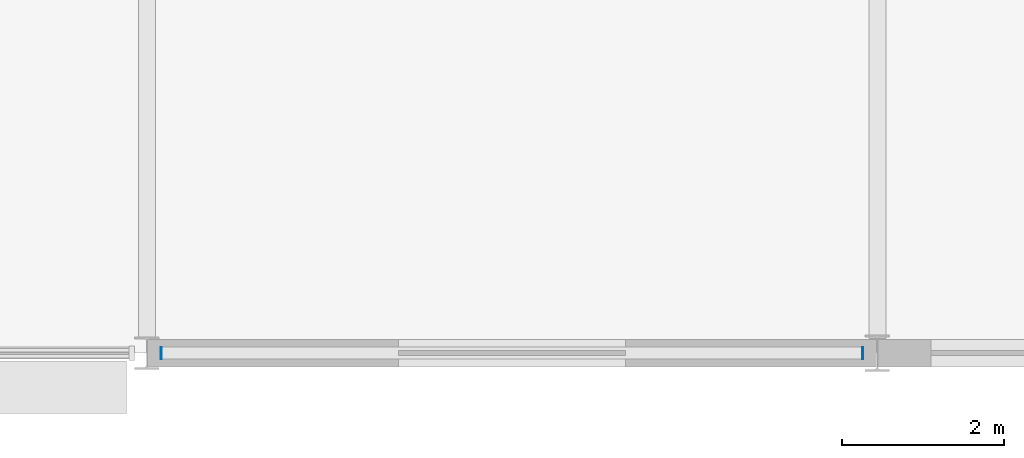
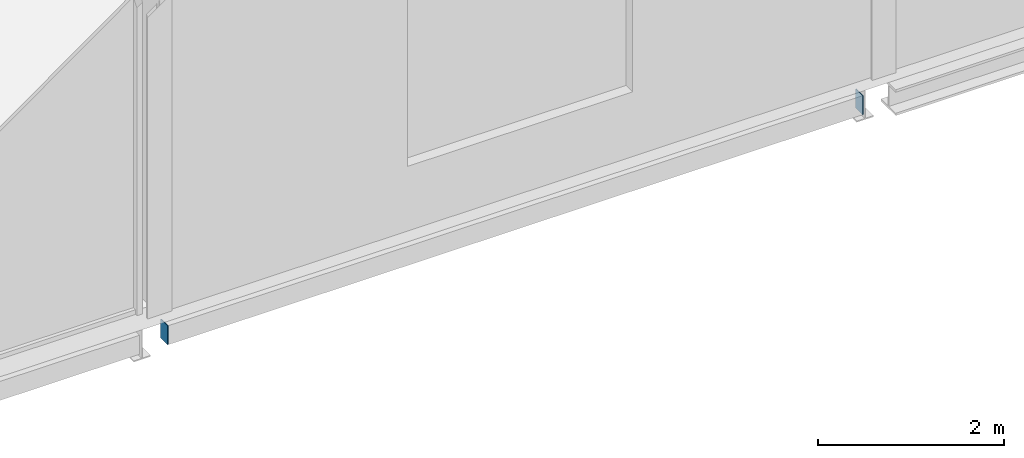
# One storey, part 55 of 73: 2 discrete accessories.
"""IFC4 building model written with IfcOpenShell, lengths in metres."""

from ifc_helpers import new_model, si_unit, direction, frame, origin, place, context, subcontext, project, spatial, polyline, outline, extrude, material, layer, layer_set, type_object, element, save


model = new_model("IFC4")

# Units and contexts
model_context = context("Model", 3, precision=1e-05, world=origin(), true_north=direction((0.0, 1.0)))
body_context = subcontext(model_context, "Body", "Model", "MODEL_VIEW")
ifc_project = project(units=[si_unit("LENGTHUNIT", "METRE"), si_unit("AREAUNIT", "SQUARE_METRE"), si_unit("VOLUMEUNIT", "CUBIC_METRE"), si_unit("PLANEANGLEUNIT", "RADIAN"), si_unit("MASSUNIT", "GRAM", prefix="KILO")], contexts=[model_context])

# Site, building, storey
site_placement = place(None, origin())
site = spatial("IfcSite", under=ifc_project, at=site_placement, CompositionType="ELEMENT")
building_placement = place(site_placement, origin())
building = spatial("IfcBuilding", under=site, at=building_placement, Name="Kisiwana Market Hall", CompositionType="ELEMENT")
storey_placement = place(building_placement, frame((0.0, 0.0, 33.300048828125)))
storey = spatial("IfcBuildingStorey", under=building, at=storey_placement, Name="L07", CompositionType="ELEMENT", Elevation=33.300048828125)

# Discrete accessories
ifc_material = material(Name="Steel S355", Category="steel")
ifc_layer = layer(ifc_material, 0.011962890625)
ifc_layer_set = layer_set([ifc_layer], Name="ACC-ENDCAP-STL")
discrete_accessory_type = type_object("IfcDiscreteAccessoryType", Name="ACC-ENDCAP-STL", PredefinedType="USERDEFINED", material=ifc_layer_set)
discrete_accessory_1_placement = place(storey_placement, frame((0.0, 0.0, -0.530029296875)))
element("IfcDiscreteAccessory", 1, at=discrete_accessory_1_placement, inside=storey, type_object=discrete_accessory_type, Name="End cap plate EC-0091", ObjectType="End cap plate", PredefinedType="USERDEFINED", context=body_context, shape_type="SweptSolid", body=[
    extrude(outline(polyline([(170.816650390625, 8.925048828125), (170.82861328125, 8.925048828125), (170.82861328125, 9.074951171875), (170.816650390625, 9.074951171875), (170.816650390625, 8.925048828125)])), origin(), (0.0, 0.0, 1.0), 0.25),
])
discrete_accessory_2_placement = place(storey_placement, frame((0.0, 0.0, -0.530029296875)))
element("IfcDiscreteAccessory", 2, at=discrete_accessory_2_placement, inside=storey, type_object=discrete_accessory_type, Name="End cap plate EC-0092", ObjectType="End cap plate", PredefinedType="USERDEFINED", context=body_context, shape_type="SweptSolid", body=[
    extrude(outline(polyline([(162.18115234375, 8.925048828125), (162.18115234375, 9.074951171875), (162.169189453125, 9.074951171875), (162.169189453125, 8.925048828125), (162.18115234375, 8.925048828125)])), origin(), (0.0, 0.0, 1.0), 0.25),
])

save(model, "model.ifc")
